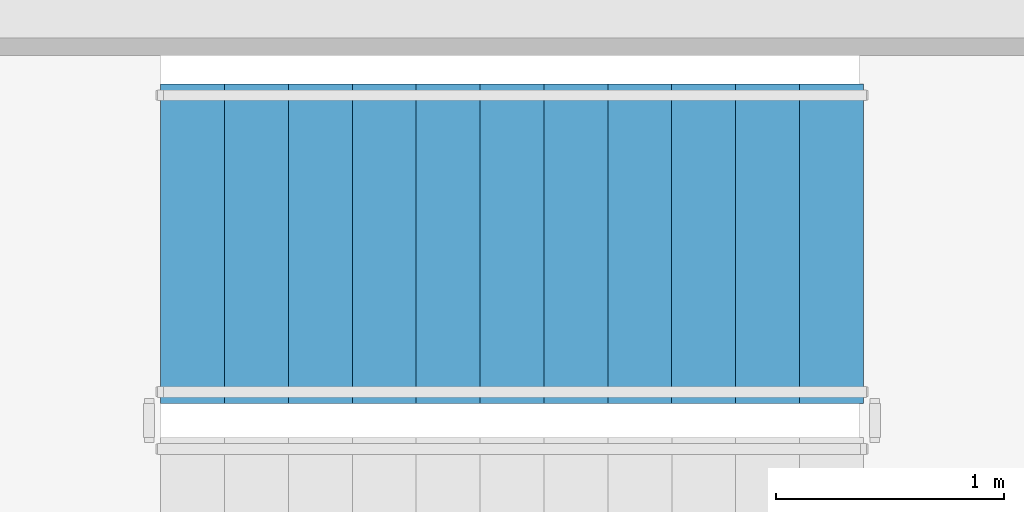
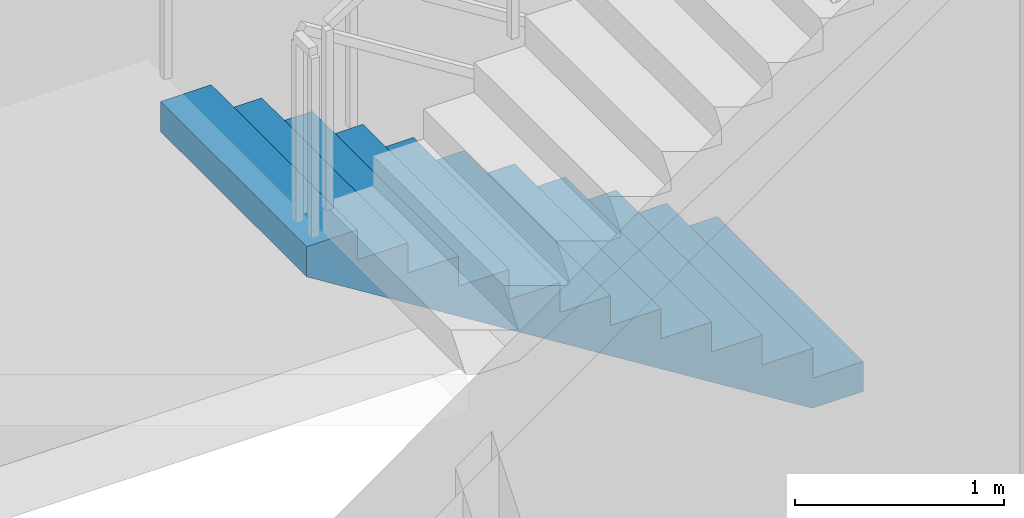
# One storey, part 12 of 22: 1 stair flight, 1 element without a shape of its own.
"""IFC4 building model written with IfcOpenShell, lengths in metres."""

from ifc_helpers import new_model, si_unit, direction, frame, origin, place, context, subcontext, project, spatial, polyline, outline, extrude, material, type_object, element, aggregate, save


model = new_model("IFC4")

# Units and contexts
model_context = context("Model", 3, precision=1e-05, world=origin(), true_north=direction((0.0, 1.0)))
body_context = subcontext(model_context, "Body", "Model", "MODEL_VIEW")
ifc_project = project(units=[si_unit("LENGTHUNIT", "METRE"), si_unit("AREAUNIT", "SQUARE_METRE"), si_unit("VOLUMEUNIT", "CUBIC_METRE"), si_unit("PLANEANGLEUNIT", "RADIAN"), si_unit("MASSUNIT", "GRAM", prefix="KILO")], contexts=[model_context])

# Site, building, storey
site_placement = place(None, origin())
site = spatial("IfcSite", under=ifc_project, at=site_placement, CompositionType="ELEMENT")
building_placement = place(site_placement, origin())
building = spatial("IfcBuilding", under=site, at=building_placement, Name="Norrkilde Senior Care Towers", CompositionType="ELEMENT")
storey_placement = place(building_placement, frame((0.0, 0.0, 12.60009765625)))
storey = spatial("IfcBuildingStorey", under=building, at=storey_placement, Name="L03", CompositionType="ELEMENT", Elevation=12.60009765625)

# Stair, stair flight
ifc_material = material(Name="Concrete C45/55", Category="concrete")
stair_type = type_object("IfcStairType", Name="Core Protected Dogleg Stair Podium 4200", PredefinedType="HALF_TURN_STAIR", material=ifc_material)
stair_placement = place(storey_placement, origin())
stair = element("IfcStair", 1, at=stair_placement, inside=storey, type_object=stair_type, Name="L03 Protected Core Stair E1", PredefinedType="HALF_TURN_STAIR")
stair_flight_type = type_object("IfcStairFlightType", Name="Core Protected Dogleg Stair Podium 4200 Flight", PredefinedType="STRAIGHT", material=ifc_material)
stair_flight_placement = place(storey_placement, frame((26.89990234375, 4.699951171875, 0.0), z_axis=(0.0, 0.0, 1.0), x_axis=(-1.0, 0.0, 0.0)))
stair_flight = element("IfcStairFlight", 2, at=stair_flight_placement, type_object=stair_flight_type, Name="ST-E1 flight 1", NumberOfRisers=12, NumberOfTreads=11, PredefinedType="STRAIGHT", RiserHeight=0.175, TreadLength=0.28, context=body_context, shape_type="SweptSolid", body=[
    extrude(outline(polyline([(0.0, 0.0), (0.0, 0.175048828125), (0.280029296875, 0.175048828125), (0.280029296875, 0.35009765625), (0.56005859375, 0.35009765625), (0.56005859375, 0.52490234375), (0.840087890625, 0.52490234375), (0.840087890625, 0.699951171875), (1.1201171875, 0.699951171875), (1.1201171875, 0.875), (1.39990234375, 0.875), (1.39990234375, 1.050048828125), (1.679931640625, 1.050048828125), (1.679931640625, 1.22509765625), (1.9599609375, 1.22509765625), (1.9599609375, 1.39990234375), (2.239990234375, 1.39990234375), (2.239990234375, 1.574951171875), (2.52001953125, 1.574951171875), (2.52001953125, 1.75), (2.800048828125, 1.75), (2.800048828125, 1.925048828125), (3.080078125, 1.925048828125), (3.080078125, 2.10009765625), (3.080078125, 1.748291015625), (0.28271484375, 0.0), (0.0, 0.0)])), frame((0.0, 0.699951171875, 0.0), z_axis=(0.0, -1.0, 0.0), x_axis=(1.0, 0.0, 0.0)), (0.0, 0.0, 1.0), 1.39990234375),
])
aggregate(stair, [stair_flight])

save(model, "model.ifc")
